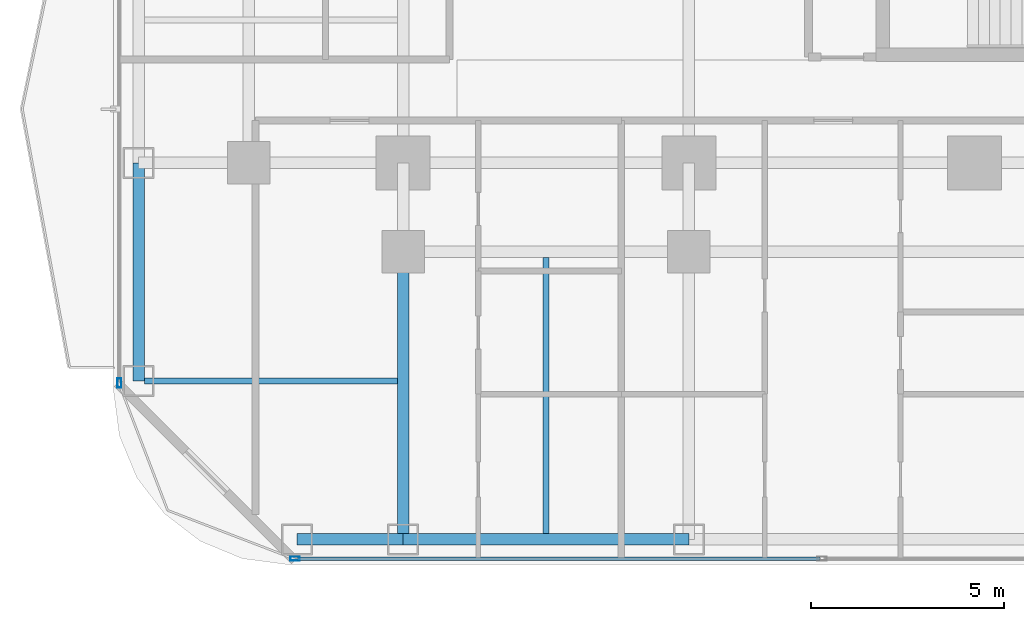
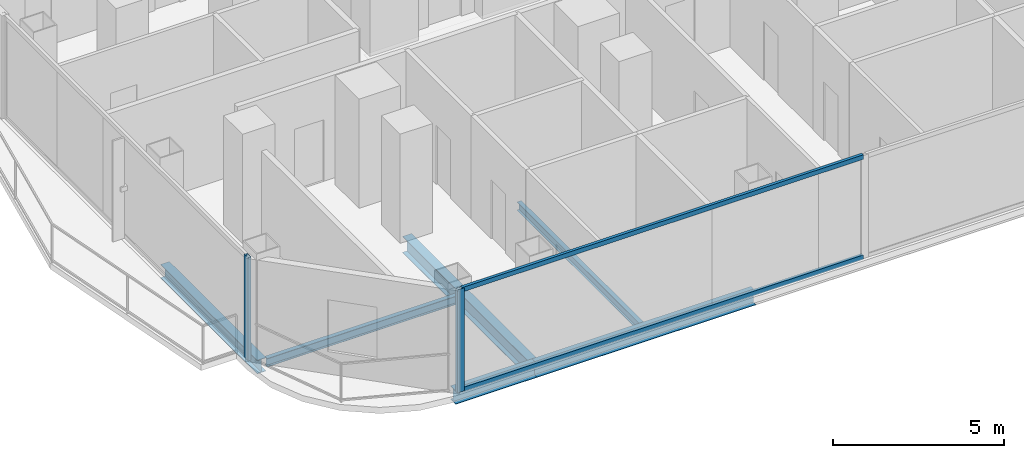
# One storey, part 2 of 30: 6 beams, 4 members, 2 elements without a shape of their own.
"""IFC4 building model written with IfcOpenShell, lengths in metres."""

from ifc_helpers import new_model, si_unit, direction, frame, origin, origin_2d, place, context, subcontext, project, spatial, hollow_rectangle, i_section, extrude, material, layer, layer_set, material_profile, profile_set, type_object, element, aggregate, save


model = new_model("IFC4")

# Units and contexts
model_context = context("Model", 3, precision=1e-05, world=origin(), true_north=direction((0.0, 1.0)))
body_context = subcontext(model_context, "Body", "Model", "MODEL_VIEW")
ifc_project = project(units=[si_unit("LENGTHUNIT", "METRE"), si_unit("AREAUNIT", "SQUARE_METRE"), si_unit("VOLUMEUNIT", "CUBIC_METRE"), si_unit("PLANEANGLEUNIT", "RADIAN"), si_unit("MASSUNIT", "GRAM", prefix="KILO")], contexts=[model_context])

# Site, building, storey
site_placement = place(None, origin())
site = spatial("IfcSite", under=ifc_project, at=site_placement, CompositionType="ELEMENT")
building_placement = place(site_placement, origin())
building = spatial("IfcBuilding", under=site, at=building_placement, Name="Khorvyn Point Tower", CompositionType="ELEMENT")
storey_placement = place(building_placement, frame((0.0, 0.0, 30.60009765625)))
storey = spatial("IfcBuildingStorey", under=building, at=storey_placement, Name="L08", CompositionType="ELEMENT", Elevation=30.60009765625)

# Curtain wall, member
ifc_material_1 = material(Name="Anodised aluminium 6063-T6 and laminated Low-E glass", Category="aluminium")
ifc_layer = layer(ifc_material_1, 0.18994140625)
ifc_layer_set = layer_set([ifc_layer], Name="Stick-Built Finned Residential Curtain Wall CW-SYS-02")
curtain_wall_type = type_object("IfcCurtainWallType", Name="Stick-Built Finned Residential Curtain Wall CW-SYS-02", PredefinedType="NOTDEFINED", material=ifc_layer_set)
curtain_wall_1_placement = place(storey_placement, origin())
curtain_wall_1 = element("IfcCurtainWall", 1, at=curtain_wall_1_placement, inside=storey, type_object=curtain_wall_type, Name="Curtain Wall", PredefinedType="NOTDEFINED")
ifc_material_2 = material(Name="Anodised aluminium 6063-T6", Category="aluminium")
ifc_material_profile_1 = material_profile(ifc_material_2, hollow_rectangle(XDim=0.10009765625, YDim=0.239990234375, WallThickness=0.0048828125, at=origin_2d()))
ifc_profile_set_1 = profile_set([ifc_material_profile_1], Name="Anodised aluminium 6063-T6 ALU-MUL-100x240")
member_type_1 = type_object("IfcMemberType", Name="Anodised Aluminium 6063-T6 Mullion ALU-MUL-100x240", PredefinedType="MULLION", material=ifc_profile_set_1)
member_1_placement = place(storey_placement, frame((-17.60009765625, -25.050048828125, 0.0), z_axis=(0.0, 0.0, 1.0), x_axis=(0.0, -1.0, 0.0)))
member_1 = element("IfcMember", 2, at=member_1_placement, type_object=member_type_1, Name="Transom", PredefinedType="MULLION", context=body_context, shape_type="SweptSolid", body=[
    extrude(hollow_rectangle(XDim=0.10009765625, YDim=0.239990234375, WallThickness=0.0048828125, at=origin_2d()), origin(), (0.0, 0.0, 1.0), 3.679931640625),
])

curtain_wall_2_placement = place(storey_placement, origin())
curtain_wall_2 = element("IfcCurtainWall", 3, at=curtain_wall_2_placement, inside=storey, type_object=curtain_wall_type, Name="Curtain Wall", PredefinedType="NOTDEFINED")
member_2_placement = place(storey_placement, frame((-22.14990234375, -20.5, 0.0), z_axis=(0.0, 0.0, 1.0), x_axis=(-1.0, 0.0, 0.0)))
member_2 = element("IfcMember", 4, at=member_2_placement, type_object=member_type_1, Name="Transom", PredefinedType="MULLION", context=body_context, shape_type="SweptSolid", body=[
    extrude(hollow_rectangle(XDim=0.10009765625, YDim=0.239990234375, WallThickness=0.0048828125, at=origin_2d()), origin(), (0.0, 0.0, 1.0), 3.679931640625),
])
aggregate(curtain_wall_2, [member_2])

# Member
ifc_material_profile_2 = material_profile(ifc_material_2, hollow_rectangle(XDim=0.10009765625, YDim=0.159912109375, WallThickness=0.00439453125, at=origin_2d()))
ifc_profile_set_2 = profile_set([ifc_material_profile_2], Name="Anodised aluminium 6063-T6 ALU-TRN-100x160")
member_type_2 = type_object("IfcMemberType", Name="Anodised Aluminium 6063-T6 Transom ALU-TRN-100x160", PredefinedType="USERDEFINED", material=ifc_profile_set_2)
member_3_placement = place(storey_placement, frame((-4.0, -25.050048828125, 0.0498046875), z_axis=(-1.0, 0.0, 0.0), x_axis=(0.0, -1.0, 0.0)))
member_3 = element("IfcMember", 5, at=member_3_placement, type_object=member_type_2, Name="Transom", ObjectType="TRANSOM", PredefinedType="USERDEFINED", context=body_context, shape_type="SweptSolid", body=[
    extrude(hollow_rectangle(XDim=0.10009765625, YDim=0.159912109375, WallThickness=0.00439453125, at=origin_2d()), origin(), (0.0, 0.0, 1.0), 13.550048828125),
])

member_4_placement = place(storey_placement, frame((-4.0, -25.050048828125, 3.6298828125), z_axis=(-1.0, 0.0, 0.0), x_axis=(0.0, -1.0, 0.0)))
member_4 = element("IfcMember", 6, at=member_4_placement, type_object=member_type_2, Name="Transom", ObjectType="TRANSOM", PredefinedType="USERDEFINED", context=body_context, shape_type="SweptSolid", body=[
    extrude(hollow_rectangle(XDim=0.10009765625, YDim=0.159912109375, WallThickness=0.00439453125, at=origin_2d()), origin(), (0.0, 0.0, 1.0), 13.550048828125),
])

aggregate(curtain_wall_1, [member_1, member_3, member_4])

# Beams
ifc_material_3 = material(Name="Steel S355", Category="steel")
ifc_material_profile_3 = material_profile(ifc_material_3, i_section(OverallWidth=0.300048828125, OverallDepth=0.587890625, WebThickness=0.011962890625, FlangeThickness=0.02001953125, at=origin_2d()))
ifc_profile_set_3 = profile_set([ifc_material_profile_3], Name="Steel S355 H588x300x12x20")
beam_type_1 = type_object("IfcBeamType", Name="Steel S355 Beam H588x300x12x20", PredefinedType="BEAM", material=ifc_profile_set_3)
beam_1_placement = place(storey_placement, frame((-14.800048828125, -24.550048828125, -0.51416015625), z_axis=(0.0, 1.0, 0.0), x_axis=(-1.0, 0.0, 0.0)))
element("IfcBeam", 7, at=beam_1_placement, inside=storey, type_object=beam_type_1, Name="Beam", PredefinedType="BEAM", context=body_context, shape_type="SweptSolid", body=[
    extrude(i_section(OverallWidth=0.300048828125, OverallDepth=0.587890625, WebThickness=0.011962890625, FlangeThickness=0.02001953125, at=origin_2d()), origin(), (0.0, 0.0, 1.0), 7.449951171875),
])
ifc_material_profile_4 = material_profile(ifc_material_3, i_section(OverallWidth=0.14990234375, OverallDepth=0.300048828125, WebThickness=0.006591796875, FlangeThickness=0.009033203125, at=origin_2d()))
ifc_profile_set_4 = profile_set([ifc_material_profile_4], Name="Steel S355 H300x150x6.5x9")
beam_type_2 = type_object("IfcBeamType", Name="Steel S355 Joist H300x150x6.5x9", PredefinedType="JOIST", material=ifc_profile_set_4)
beam_2_placement = place(storey_placement, frame((-11.10009765625, -24.39990234375, -0.3701171875), z_axis=(0.0, 1.0, 0.0), x_axis=(-1.0, 0.0, 0.0)))
element("IfcBeam", 8, at=beam_2_placement, inside=storey, type_object=beam_type_2, Name="Beam", PredefinedType="JOIST", context=body_context, shape_type="SweptSolid", body=[
    extrude(i_section(OverallWidth=0.14990234375, OverallDepth=0.300048828125, WebThickness=0.006591796875, FlangeThickness=0.009033203125, at=origin_2d()), origin(), (0.0, 0.0, 1.0), 7.14990234375),
])
beam_3_placement = place(storey_placement, frame((-21.5, -20.449951171875, -0.3701171875), z_axis=(1.0, 0.0, 0.0), x_axis=(0.0, 1.0, 0.0)))
element("IfcBeam", 9, at=beam_3_placement, inside=storey, type_object=beam_type_2, Name="Beam", PredefinedType="JOIST", context=body_context, shape_type="SweptSolid", body=[
    extrude(i_section(OverallWidth=0.14990234375, OverallDepth=0.300048828125, WebThickness=0.006591796875, FlangeThickness=0.009033203125, at=origin_2d()), origin(), (0.0, 0.0, 1.0), 6.550048828125),
])
ifc_material_profile_5 = material_profile(ifc_material_3, i_section(OverallWidth=0.300048828125, OverallDepth=0.488037109375, WebThickness=0.010986328125, FlangeThickness=0.01806640625, at=origin_2d()))
ifc_profile_set_5 = profile_set([ifc_material_profile_5], Name="Steel S355 H488x300x11x18")
beam_type_3 = type_object("IfcBeamType", Name="Steel S355 Spandrel H488x300x11x18", PredefinedType="SPANDREL", material=ifc_profile_set_5)
beam_4_placement = place(storey_placement, frame((-17.550048828125, -24.550048828125, -0.464111328125), z_axis=(1.0, 0.0, 0.0), x_axis=(0.0, 1.0, 0.0)))
element("IfcBeam", 10, at=beam_4_placement, inside=storey, type_object=beam_type_3, Name="Beam", PredefinedType="SPANDREL", context=body_context, shape_type="SweptSolid", body=[
    extrude(i_section(OverallWidth=0.300048828125, OverallDepth=0.488037109375, WebThickness=0.010986328125, FlangeThickness=0.01806640625, at=origin_2d()), origin(), (0.0, 0.0, 1.0), 2.75),
])
beam_5_placement = place(storey_placement, frame((-14.800048828125, -24.550048828125, -0.464111328125), z_axis=(1.0, 0.0, 0.0), x_axis=(0.0, 1.0, 0.0)))
element("IfcBeam", 11, at=beam_5_placement, inside=storey, type_object=beam_type_3, Name="Beam", PredefinedType="SPANDREL", context=body_context, shape_type="SweptSolid", body=[
    extrude(i_section(OverallWidth=0.300048828125, OverallDepth=0.488037109375, WebThickness=0.010986328125, FlangeThickness=0.01806640625, at=origin_2d()), origin(), (0.0, 0.0, 1.0), 7.400146484375),
])
beam_6_placement = place(storey_placement, frame((-21.64990234375, -20.449951171875, -0.464111328125), z_axis=(0.0, 1.0, 0.0), x_axis=(-1.0, 0.0, 0.0)))
element("IfcBeam", 12, at=beam_6_placement, inside=storey, type_object=beam_type_3, Name="Beam", PredefinedType="SPANDREL", context=body_context, shape_type="SweptSolid", body=[
    extrude(i_section(OverallWidth=0.300048828125, OverallDepth=0.488037109375, WebThickness=0.010986328125, FlangeThickness=0.01806640625, at=origin_2d()), origin(), (0.0, 0.0, 1.0), 5.64990234375),
])

save(model, "model.ifc")
